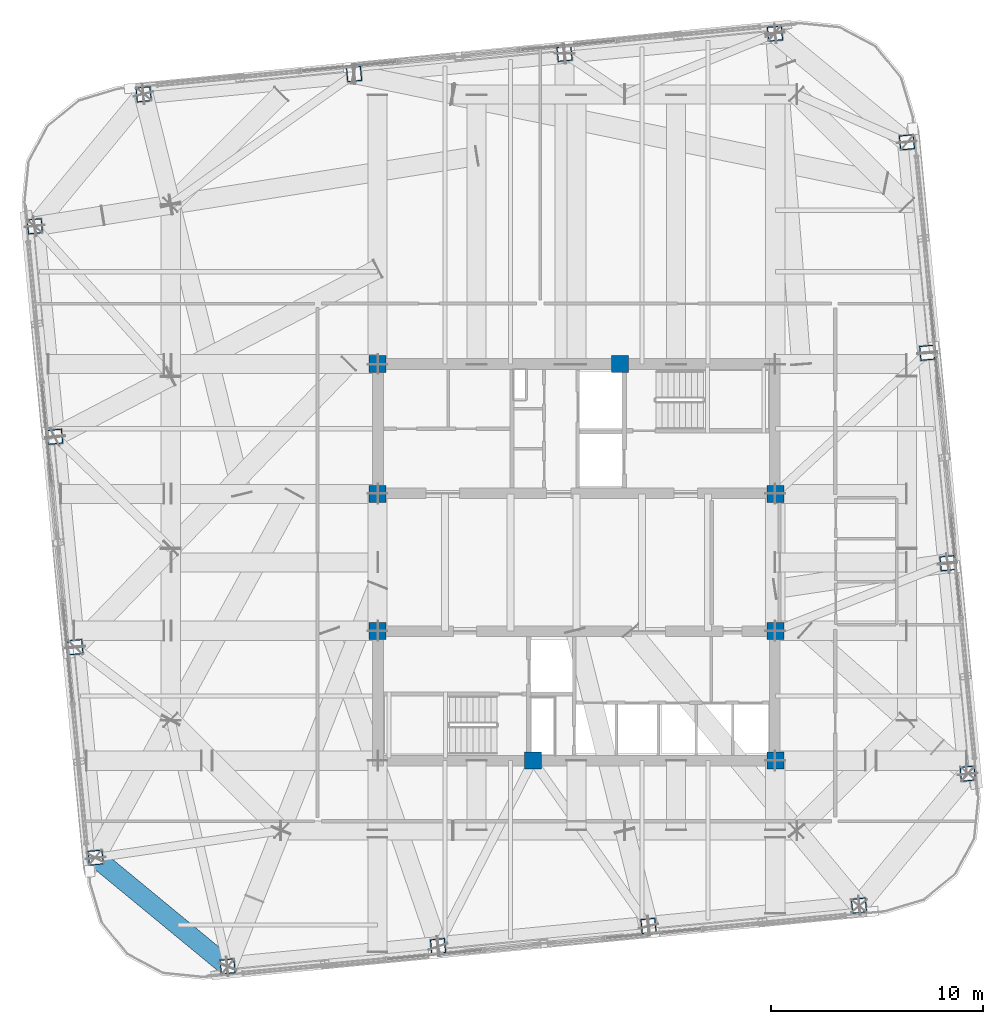
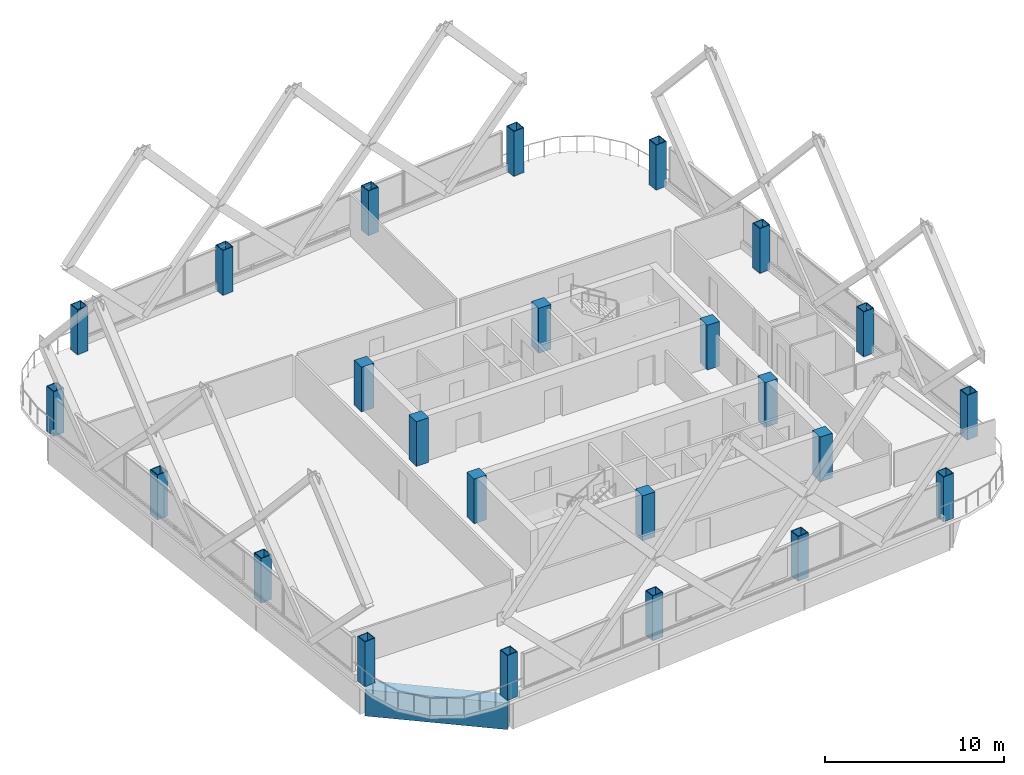
# One storey, part 1 of 37: 24 columns, 1 beam.
"""IFC4 building model written with IfcOpenShell, lengths in metres."""

from ifc_helpers import new_model, si_unit, direction, frame, origin, origin_2d, place, context, subcontext, project, spatial, rectangle, hollow_rectangle, extrude, material, material_profile, profile_set, type_object, element, save


model = new_model("IFC4")

# Units and contexts
model_context = context("Model", 3, precision=1e-05, world=origin(), true_north=direction((0.0, 1.0)))
body_context = subcontext(model_context, "Body", "Model", "MODEL_VIEW")
ifc_project = project(units=[si_unit("LENGTHUNIT", "METRE"), si_unit("AREAUNIT", "SQUARE_METRE"), si_unit("VOLUMEUNIT", "CUBIC_METRE"), si_unit("PLANEANGLEUNIT", "RADIAN"), si_unit("MASSUNIT", "GRAM", prefix="KILO")], contexts=[model_context])

# Site, building, storey
site_placement = place(None, origin())
site = spatial("IfcSite", under=ifc_project, at=site_placement, CompositionType="ELEMENT")
building_placement = place(site_placement, origin())
building = spatial("IfcBuilding", under=site, at=building_placement, Name="Qhalaya Broadcast Tower", CompositionType="ELEMENT")
storey_placement = place(building_placement, frame((0.0, 0.0, 156.14990234375)))
storey = spatial("IfcBuildingStorey", under=building, at=storey_placement, Name="L45", CompositionType="ELEMENT", Elevation=156.14990234375)

# Columns
ifc_material_1 = material(Name="Concrete C50/60", Category="concrete")
ifc_material_profile_1 = material_profile(ifc_material_1, rectangle(XDim=0.800048828125, YDim=0.800048828125, at=origin_2d()), Name="RC-COL 800x800")
ifc_profile_set_1 = profile_set([ifc_material_profile_1], Name="Concrete C50/60")
column_type_1 = type_object("IfcColumnType", Name="RC Upper Column C10", PredefinedType="COLUMN", material=ifc_profile_set_1)
for number, where, z_axis, x_axis, name in (
    (1, (-9.375, 9.949951171875, 0.0), (0.0, 0.0, 1.0), (1.0, 0.0, 0.0), "L45 Column COL-CC1"),
    (2, (2.050048828125, 9.949951171875, 0.0), (0.0, 0.0, 1.0), (1.0, 0.0, 0.0), "L45 Column COL-CC2"),
    (3, (-9.375, 3.824951171875, 0.0), (0.0, 0.0, 1.0), (1.0, 0.0, 0.0), "L45 Column COL-CC3"),
    (4, (9.375, 3.824951171875, 0.0), (0.0, 0.0, 1.0), (1.0, 0.0, 0.0), "L45 Column COL-CC4"),
    (5, (-9.375, -2.625, 0.0), (0.0, 0.0, 1.0), (1.0, 0.0, 0.0), "L45 Column COL-CC5"),
    (6, (9.375, -2.625, 0.0), (0.0, 0.0, 1.0), (1.0, 0.0, 0.0), "L45 Column COL-CC6"),
    (7, (-2.050048828125, -8.75, 0.0), (0.0, 0.0, 1.0), (1.0, 0.0, 0.0), "L45 Column COL-CC7"),
    (8, (9.375, -8.75, 0.0), (0.0, 0.0, 1.0), (1.0, 0.0, 0.0), "L45 Column COL-CC8"),
):
    element("IfcColumn", number, at=place(storey_placement, frame(where, z_axis=z_axis, x_axis=x_axis)), inside=storey, type_object=column_type_1, Name=name, PredefinedType="COLUMN", context=body_context, shape_type="SweptSolid", body=[
        extrude(rectangle(XDim=0.800048828125, YDim=0.800048828125, at=origin_2d()), origin(), (0.0, 0.0, 1.0), 3.050048828125),
    ])
ifc_material_2 = material(Name="Structural Steel ASTM A572 Grade 50", Category="steel")
ifc_material_profile_2 = material_profile(ifc_material_2, hollow_rectangle(XDim=0.699951171875, YDim=0.699951171875, WallThickness=0.044921875, at=origin_2d()), Name="BOX 700x700x45")
ifc_profile_set_2 = profile_set([ifc_material_profile_2], Name="Structural Steel ASTM A572 Grade 50")
column_type_2 = type_object("IfcColumnType", Name="Steel Box Column C04", PredefinedType="COLUMN", material=ifc_profile_set_2)
for number, where, z_axis, x_axis, name in (
    (9, (-16.44189453125, -18.44775390625, 0.0), (0.0, 0.0, 1.0), (0.995396198367, 0.09584575252, 0.0), "L45 Column COL-EX01"),
    (10, (-6.521240234375, -17.49267578125, 0.0), (0.0, 0.0, 1.0), (0.995396198367, 0.09584575252, 0.0), "L45 Column COL-EX02"),
    (11, (3.399658203125, -16.537353515625, 0.0), (0.0, 0.0, 1.0), (0.995396198367, 0.09584575252, 0.0), "L45 Column COL-EX03"),
    (12, (13.3203125, -15.58203125, 0.0), (0.0, 0.0, 1.0), (0.995396198367, 0.09584575252, 0.0), "L45 Column COL-EX04"),
    (13, (18.44775390625, -9.362060546875, 0.0), (0.0, 0.0, 1.0), (-0.09584575252, 0.995396198367, 0.0), "L45 Column COL-EX05"),
    (14, (17.49267578125, 0.558837890625, 0.0), (0.0, 0.0, 1.0), (-0.09584575252, 0.995396198367, 0.0), "L45 Column COL-EX06"),
    (15, (16.537353515625, 10.4794921875, 0.0), (0.0, 0.0, 1.0), (-0.09584575252, 0.995396198367, 0.0), "L45 Column COL-EX07"),
    (16, (15.58203125, 20.400390625, 0.0), (0.0, 0.0, 1.0), (-0.09584575252, 0.995396198367, 0.0), "L45 Column COL-EX08"),
    (17, (9.362060546875, 25.52783203125, 0.0), (0.0, 0.0, 1.0), (0.995396198367, 0.09584575252, 0.0), "L45 Column COL-EX09"),
    (18, (-0.558837890625, 24.572509765625, 0.0), (0.0, 0.0, 1.0), (0.995396198367, 0.09584575252, 0.0), "L45 Column COL-EX10"),
    (19, (-10.4794921875, 23.6171875, 0.0), (0.0, 0.0, 1.0), (0.995396198367, 0.09584575252, 0.0), "L45 Column COL-EX11"),
    (20, (-20.400390625, 22.662109375, 0.0), (0.0, 0.0, 1.0), (0.995396198367, 0.09584575252, 0.0), "L45 Column COL-EX12"),
    (21, (-25.52783203125, 16.44189453125, 0.0), (0.0, 0.0, 1.0), (-0.09584575252, 0.995396198367, 0.0), "L45 Column COL-EX13"),
    (22, (-24.572509765625, 6.521240234375, 0.0), (0.0, 0.0, 1.0), (-0.09584575252, 0.995396198367, 0.0), "L45 Column COL-EX14"),
    (23, (-23.6171875, -3.399658203125, 0.0), (0.0, 0.0, 1.0), (-0.09584575252, 0.995396198367, 0.0), "L45 Column COL-EX15"),
    (24, (-22.662109375, -13.3203125, 0.0), (0.0, 0.0, 1.0), (-0.09584575252, 0.995396198367, 0.0), "L45 Column COL-EX16"),
):
    element("IfcColumn", number, at=place(storey_placement, frame(where, z_axis=z_axis, x_axis=x_axis)), inside=storey, type_object=column_type_2, Name=name, PredefinedType="COLUMN", context=body_context, shape_type="SweptSolid", body=[
        extrude(hollow_rectangle(XDim=0.699951171875, YDim=0.699951171875, WallThickness=0.044921875, at=origin_2d()), origin(), (0.0, 0.0, 1.0), 3.050048828125),
    ])

# Beam
ifc_material_profile_3 = material_profile(ifc_material_2, hollow_rectangle(XDim=0.89990234375, YDim=1.800048828125, WallThickness=0.06005859375, at=origin_2d()), Name="BOX 900x1800x60")
ifc_profile_set_3 = profile_set([ifc_material_profile_3], Name="Structural Steel ASTM A572 Grade 50")
beam_type = type_object("IfcBeamType", Name="Block Cantilever Transfer Box Girder TG1", PredefinedType="USERDEFINED", material=ifc_profile_set_3)
beam_placement = place(storey_placement, frame((-22.662109375, -13.3203125, -1.119873046875), z_axis=(0.771631160126, -0.636070241972, 0.0), x_axis=(0.636070241972, 0.771631160126, 0.0)))
element("IfcBeam", 25, at=beam_placement, inside=storey, type_object=beam_type, Name="L45 TG1 L45-SPR-16", ObjectType="GIRDER", PredefinedType="USERDEFINED", context=body_context, shape_type="SweptSolid", body=[
    extrude(hollow_rectangle(XDim=0.89990234375, YDim=1.800048828125, WallThickness=0.06005859375, at=origin_2d()), origin(), (0.0, 0.0, 1.0), 8.06103515625),
])

save(model, "model.ifc")
